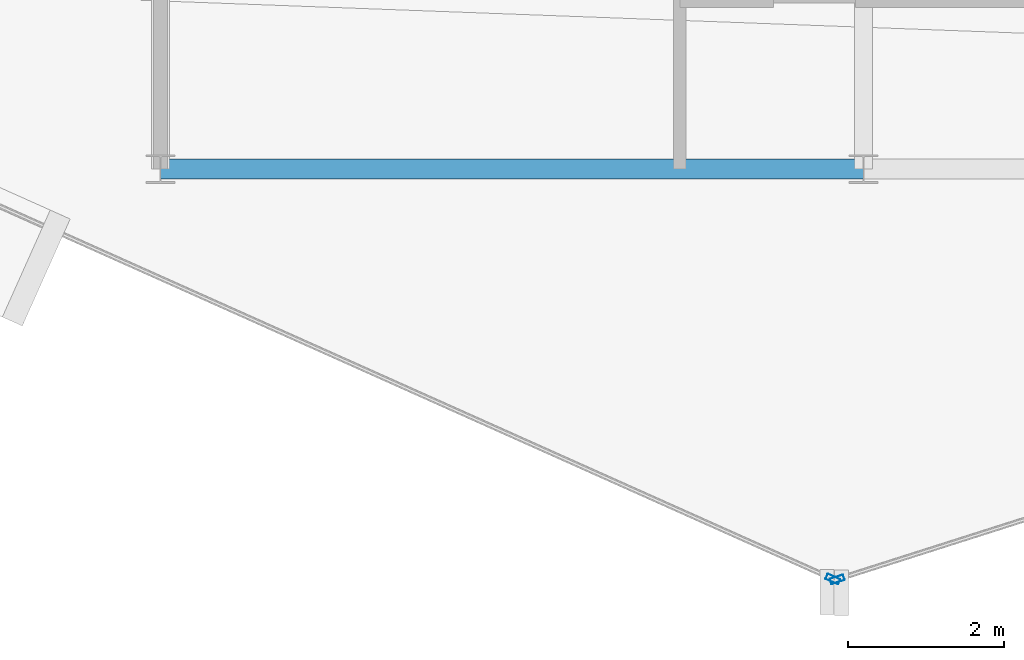
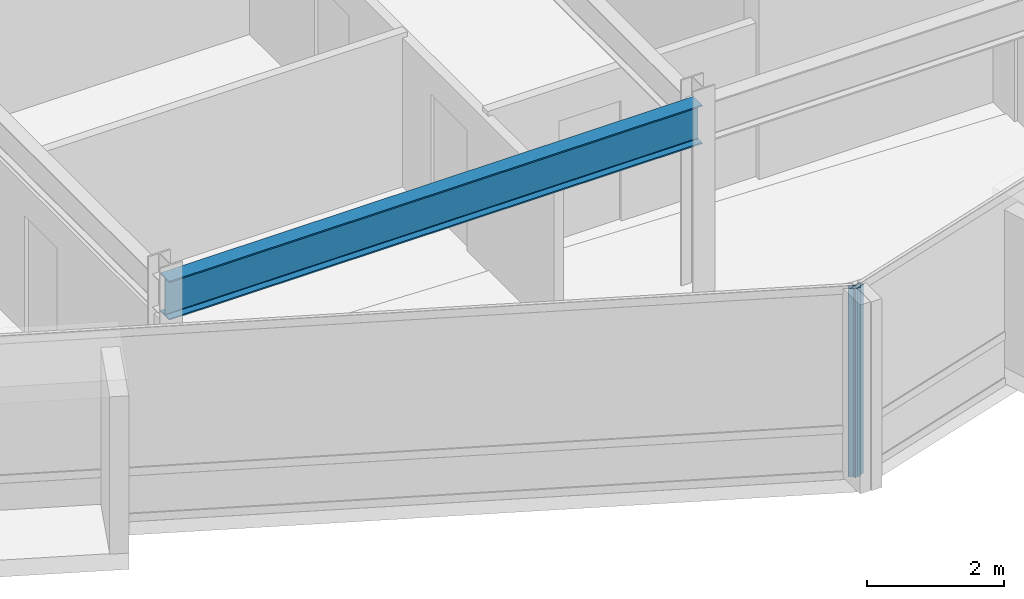
# One storey, part 4 of 19: 2 members, 1 beam, 2 elements without a shape of their own.
"""IFC4 building model written with IfcOpenShell, lengths in metres."""

from ifc_helpers import new_model, si_unit, direction, frame, origin, origin_2d, place, context, subcontext, project, spatial, hollow_rectangle, i_section, extrude, material, layer, layer_set, material_profile, profile_set, type_object, element, aggregate, save


model = new_model("IFC4")

# Units and contexts
model_context = context("Model", 3, precision=1e-05, world=origin(), true_north=direction((0.0, 1.0)))
body_context = subcontext(model_context, "Body", "Model", "MODEL_VIEW")
ifc_project = project(units=[si_unit("LENGTHUNIT", "METRE"), si_unit("AREAUNIT", "SQUARE_METRE"), si_unit("VOLUMEUNIT", "CUBIC_METRE"), si_unit("PLANEANGLEUNIT", "RADIAN"), si_unit("MASSUNIT", "GRAM", prefix="KILO")], contexts=[model_context])

# Site, building, storey
site_placement = place(None, origin())
site = spatial("IfcSite", under=ifc_project, at=site_placement, CompositionType="ELEMENT")
building_placement = place(site_placement, origin())
building = spatial("IfcBuilding", under=site, at=building_placement, Name="Solvaryn Broadcast Tower", CompositionType="ELEMENT")
storey_placement = place(building_placement, frame((0.0, 0.0, 293.699951171875)))
storey = spatial("IfcBuildingStorey", under=building, at=storey_placement, Name="L74", CompositionType="ELEMENT", Elevation=293.699951171875)

# Beam
ifc_material_1 = material(Name="Steel ASTM A992 Grade 50", Category="steel")
ifc_material_profile_1 = material_profile(ifc_material_1, i_section(OverallWidth=0.256103515625, OverallDepth=0.693115234375, WebThickness=0.014404296875, FlangeThickness=0.023681640625, FilletRadius=0.01611328125, at=origin_2d()))
ifc_profile_set_1 = profile_set([ifc_material_profile_1], Name="Steel ASTM A992 Grade 50")
beam_type = type_object("IfcBeamType", Name="BM-SP3-W27X114", PredefinedType="USERDEFINED", material=ifc_profile_set_1)
beam_placement = place(storey_placement, frame((18.0, 9.0, 3.0234375), z_axis=(1.0, 0.0, 0.0), x_axis=(0.0, 1.0, 0.0)))
element("IfcBeam", 1, at=beam_placement, inside=storey, type_object=beam_type, Name="L74 Spandrel Beam X (18-27 @ Y=9)", ObjectType="SPANDREL", PredefinedType="USERDEFINED", context=body_context, shape_type="SweptSolid", body=[
    extrude(i_section(OverallWidth=0.256103515625, OverallDepth=0.693115234375, WebThickness=0.014404296875, FlangeThickness=0.023681640625, FilletRadius=0.01611328125, at=origin_2d()), origin(), (0.0, 0.0, 1.0), 9.0),
])

# Curtain wall, member
ifc_material_2 = material(Name="Aluminium and Terracotta Unitised Curtain Wall", Category="masonry")
ifc_layer = layer(ifc_material_2, 0.199951171875)
ifc_layer_set = layer_set([ifc_layer], Name="CW-SYS2-LOWMID")
curtain_wall_type = type_object("IfcCurtainWallType", Name="CW-SYS2-LOWMID", PredefinedType="NOTDEFINED", material=ifc_layer_set)
curtain_wall_1_placement = place(storey_placement, origin())
curtain_wall_1 = element("IfcCurtainWall", 2, at=curtain_wall_1_placement, inside=storey, type_object=curtain_wall_type, Name="L74 Curtain Wall DR3", PredefinedType="NOTDEFINED")
ifc_material_3 = material(Name="Anodised Aluminium 6063-T6", Category="aluminium")
ifc_material_profile_2 = material_profile(ifc_material_3, hollow_rectangle(XDim=0.074951171875, YDim=0.179931640625, WallThickness=0.00390625, InnerFilletRadius=0.00390625, OuterFilletRadius=0.008056640625, at=origin_2d()))
ifc_profile_set_2 = profile_set([ifc_material_profile_2], Name="Anodised Aluminium 6063-T6")
member_type = type_object("IfcMemberType", Name="CW-MUL-180", PredefinedType="MULLION", material=ifc_profile_set_2)
member_1_placement = place(storey_placement, frame((26.608642578125, 3.750244140625, 0.0), z_axis=(0.0, 0.0, 1.0), x_axis=(0.408466010682, 0.912773530574, 0.0)))
member_1 = element("IfcMember", 3, at=member_1_placement, type_object=member_type, Name="CWS2 mullion 2", PredefinedType="MULLION", context=body_context, shape_type="SweptSolid", body=[
    extrude(hollow_rectangle(XDim=0.074951171875, YDim=0.179931640625, WallThickness=0.00390625, InnerFilletRadius=0.00390625, OuterFilletRadius=0.008056640625, at=origin_2d()), origin(), (0.0, 0.0, 1.0), 3.3701171875),
])
aggregate(curtain_wall_1, [member_1])

curtain_wall_2_placement = place(storey_placement, origin())
curtain_wall_2 = element("IfcCurtainWall", 4, at=curtain_wall_2_placement, inside=storey, type_object=curtain_wall_type, Name="L74 Curtain Wall DR4", PredefinedType="NOTDEFINED")
member_2_placement = place(storey_placement, frame((26.66455078125, 3.7470703125, 0.0), z_axis=(0.0, 0.0, 1.0), x_axis=(-0.30361564569, 0.952794594701, 0.0)))
member_2 = element("IfcMember", 5, at=member_2_placement, type_object=member_type, Name="CWS2 mullion 1", PredefinedType="MULLION", context=body_context, shape_type="SweptSolid", body=[
    extrude(hollow_rectangle(XDim=0.074951171875, YDim=0.179931640625, WallThickness=0.00390625, InnerFilletRadius=0.00390625, OuterFilletRadius=0.008056640625, at=origin_2d()), origin(), (0.0, 0.0, 1.0), 3.3701171875),
])
aggregate(curtain_wall_2, [member_2])

save(model, "model.ifc")
